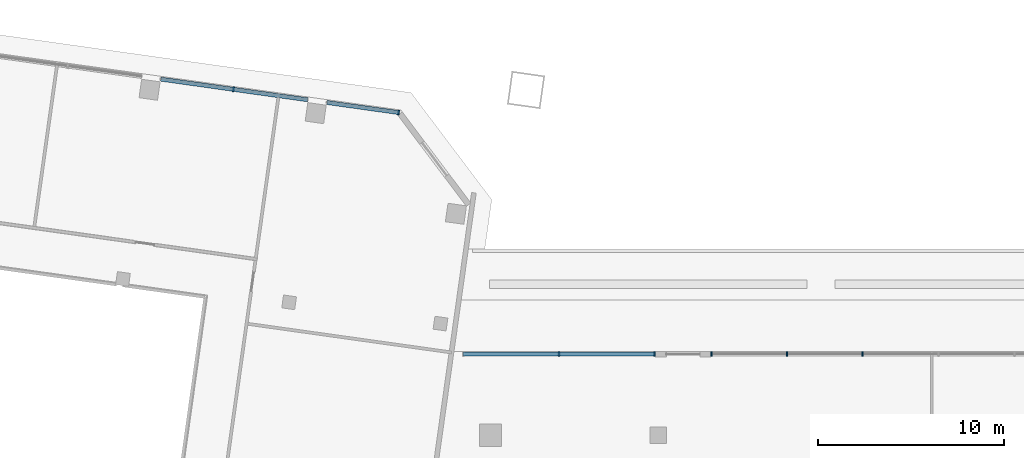
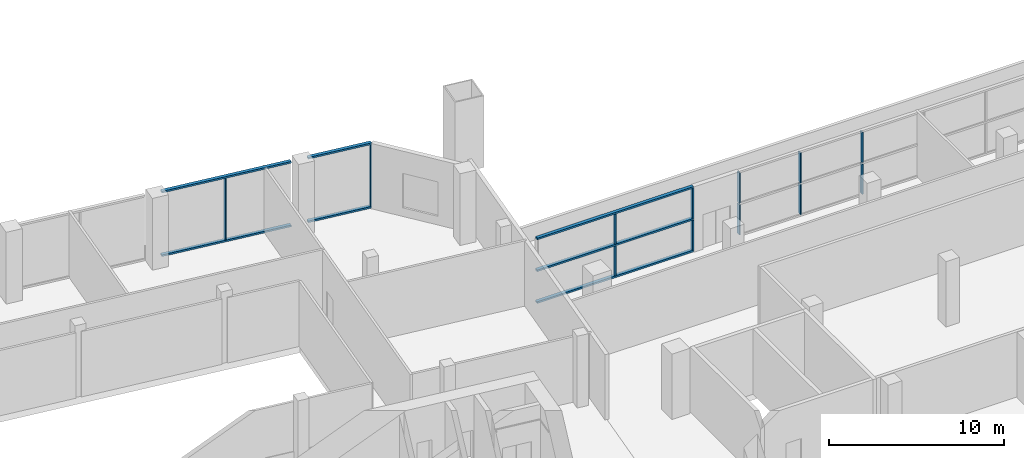
# One storey, part 4 of 21: 19 members, 3 elements without a shape of their own.
"""IFC4 building model written with IfcOpenShell, lengths in metres."""

from ifc_helpers import new_model, si_unit, direction, frame, origin, origin_2d, place, context, subcontext, project, spatial, rectangle, extrude, material, material_profile, profile_set, type_object, element, aggregate, save


model = new_model("IFC4")

# Units and contexts
model_context = context("Model", 3, precision=1e-05, world=origin(), true_north=direction((0.0, 1.0)))
body_context = subcontext(model_context, "Body", "Model", "MODEL_VIEW")
ifc_project = project(units=[si_unit("LENGTHUNIT", "METRE"), si_unit("AREAUNIT", "SQUARE_METRE"), si_unit("VOLUMEUNIT", "CUBIC_METRE"), si_unit("PLANEANGLEUNIT", "RADIAN"), si_unit("MASSUNIT", "GRAM", prefix="KILO")], contexts=[model_context])

# Site, building, storey
site_placement = place(None, origin())
site = spatial("IfcSite", under=ifc_project, at=site_placement, CompositionType="ELEMENT")
building_placement = place(site_placement, origin())
building = spatial("IfcBuilding", under=site, at=building_placement, Name="Mirante Cascada Hotel Towers", CompositionType="ELEMENT")
storey_placement = place(building_placement, frame((0.0, 0.0, 34.5)))
storey = spatial("IfcBuildingStorey", under=building, at=storey_placement, Name="L05", CompositionType="ELEMENT", Elevation=34.5)

# Curtain wall, members
ifc_material_1 = material(Name="Aluminium mullion and transom frame with clear laminated glass", Category="aluminium")
curtain_wall_type = type_object("IfcCurtainWallType", Name="Podium curtain wall ECW3", PredefinedType="NOTDEFINED", material=ifc_material_1)
curtain_wall_1_placement = place(storey_placement, origin())
curtain_wall_1 = element("IfcCurtainWall", 1, at=curtain_wall_1_placement, inside=storey, type_object=curtain_wall_type, Name="Front podium glazing T1 L05", PredefinedType="NOTDEFINED")
ifc_material_2 = material(Name="Anodised aluminium extrusion", Category="aluminium")
ifc_material_profile_1 = material_profile(ifc_material_2, rectangle(XDim=0.26, YDim=0.08, at=origin_2d()), Name="ECW3 MULLION 80x260")
ifc_profile_set_1 = profile_set([ifc_material_profile_1], Name="Anodised aluminium extrusion")
member_type_1 = type_object("IfcMemberType", Name="ECW3 mullion 80x260", PredefinedType="MULLION", material=ifc_profile_set_1)
member_1_placement = place(storey_placement, frame((-40.7892, 18.5516, 0.12), z_axis=(0.0, 0.0, 1.0), x_axis=(0.1391731, 0.9902681, 0.0)))
member_1 = element("IfcMember", 2, at=member_1_placement, type_object=member_type_1, Name="ECW3 mullion 13", PredefinedType="MULLION", context=body_context, shape_type="SweptSolid", body=[
    extrude(rectangle(XDim=0.26, YDim=0.08, at=origin_2d()), origin(), (0.0, 0.0, 1.0), 4.31),
])
member_2_placement = place(storey_placement, frame((-31.9339, 17.307, 0.12), z_axis=(0.0, 0.0, 1.0), x_axis=(0.1391731, 0.9902681, 0.0)))
member_2 = element("IfcMember", 3, at=member_2_placement, type_object=member_type_1, Name="ECW3 mullion 15", PredefinedType="MULLION", context=body_context, shape_type="SweptSolid", body=[
    extrude(rectangle(XDim=0.26, YDim=0.08, at=origin_2d()), origin(), (0.0, 0.0, 1.0), 4.31),
])

curtain_wall_2_placement = place(storey_placement, origin())
curtain_wall_2 = element("IfcCurtainWall", 4, at=curtain_wall_2_placement, inside=storey, type_object=curtain_wall_type, Name="Podium curtain wall L05 run 3.3", PredefinedType="NOTDEFINED")
member_3_placement = place(storey_placement, frame((-7.0364, 4.35, 0.12), z_axis=(0.0, 0.0, 1.0), x_axis=(0.0, -1.0, 0.0)))
member_3 = element("IfcMember", 5, at=member_3_placement, type_object=member_type_1, Name="ECW3 mullion 4", PredefinedType="MULLION", context=body_context, shape_type="SweptSolid", body=[
    extrude(rectangle(XDim=0.26, YDim=0.08, at=origin_2d()), origin(), (0.0, 0.0, 1.0), 2.095),
])
member_4_placement = place(storey_placement, frame((-7.0364, 4.35, 2.335), z_axis=(0.0, 0.0, 1.0), x_axis=(0.0, -1.0, 0.0)))
member_4 = element("IfcMember", 6, at=member_4_placement, type_object=member_type_1, Name="ECW3 mullion 4", PredefinedType="MULLION", context=body_context, shape_type="SweptSolid", body=[
    extrude(rectangle(XDim=0.26, YDim=0.08, at=origin_2d()), origin(), (0.0, 0.0, 1.0), 2.095),
])
member_5_placement = place(storey_placement, frame((-11.1052, 4.35, 0.12), z_axis=(0.0, 0.0, 1.0), x_axis=(0.0, -1.0, 0.0)))
member_5 = element("IfcMember", 7, at=member_5_placement, type_object=member_type_1, Name="ECW3 mullion 5", PredefinedType="MULLION", context=body_context, shape_type="SweptSolid", body=[
    extrude(rectangle(XDim=0.26, YDim=0.08, at=origin_2d()), origin(), (0.0, 0.0, 1.0), 2.095),
])
member_6_placement = place(storey_placement, frame((-11.1052, 4.35, 2.335), z_axis=(0.0, 0.0, 1.0), x_axis=(0.0, -1.0, 0.0)))
member_6 = element("IfcMember", 8, at=member_6_placement, type_object=member_type_1, Name="ECW3 mullion 5", PredefinedType="MULLION", context=body_context, shape_type="SweptSolid", body=[
    extrude(rectangle(XDim=0.26, YDim=0.08, at=origin_2d()), origin(), (0.0, 0.0, 1.0), 2.095),
])
member_7_placement = place(storey_placement, frame((-15.134, 4.35, 0.12), z_axis=(0.0, 0.0, 1.0), x_axis=(0.0, -1.0, 0.0)))
member_7 = element("IfcMember", 9, at=member_7_placement, type_object=member_type_1, Name="ECW3 mullion 6", PredefinedType="MULLION", context=body_context, shape_type="SweptSolid", body=[
    extrude(rectangle(XDim=0.26, YDim=0.08, at=origin_2d()), origin(), (0.0, 0.0, 1.0), 2.095),
])
member_8_placement = place(storey_placement, frame((-15.134, 4.35, 2.335), z_axis=(0.0, 0.0, 1.0), x_axis=(0.0, -1.0, 0.0)))
member_8 = element("IfcMember", 10, at=member_8_placement, type_object=member_type_1, Name="ECW3 mullion 6", PredefinedType="MULLION", context=body_context, shape_type="SweptSolid", body=[
    extrude(rectangle(XDim=0.26, YDim=0.08, at=origin_2d()), origin(), (0.0, 0.0, 1.0), 2.095),
])
aggregate(curtain_wall_2, [member_3, member_4, member_5, member_6, member_7, member_8])

curtain_wall_3_placement = place(storey_placement, origin())
curtain_wall_3 = element("IfcCurtainWall", 11, at=curtain_wall_3_placement, inside=storey, type_object=curtain_wall_type, Name="Podium curtain wall L05 run 3.5", PredefinedType="NOTDEFINED")
member_9_placement = place(storey_placement, frame((-18.214, 4.35, 0.12), z_axis=(0.0, 0.0, 1.0), x_axis=(0.0, -1.0, 0.0)))
member_9 = element("IfcMember", 12, at=member_9_placement, type_object=member_type_1, Name="ECW3 mullion 1", PredefinedType="MULLION", context=body_context, shape_type="SweptSolid", body=[
    extrude(rectangle(XDim=0.26, YDim=0.08, at=origin_2d()), origin(), (0.0, 0.0, 1.0), 2.095),
])
member_10_placement = place(storey_placement, frame((-18.214, 4.35, 2.335), z_axis=(0.0, 0.0, 1.0), x_axis=(0.0, -1.0, 0.0)))
member_10 = element("IfcMember", 13, at=member_10_placement, type_object=member_type_1, Name="ECW3 mullion 1", PredefinedType="MULLION", context=body_context, shape_type="SweptSolid", body=[
    extrude(rectangle(XDim=0.26, YDim=0.08, at=origin_2d()), origin(), (0.0, 0.0, 1.0), 2.095),
])
member_11_placement = place(storey_placement, frame((-23.3273, 4.35, 0.12), z_axis=(0.0, 0.0, 1.0), x_axis=(0.0, -1.0, 0.0)))
member_11 = element("IfcMember", 14, at=member_11_placement, type_object=member_type_1, Name="ECW3 mullion 2", PredefinedType="MULLION", context=body_context, shape_type="SweptSolid", body=[
    extrude(rectangle(XDim=0.26, YDim=0.08, at=origin_2d()), origin(), (0.0, 0.0, 1.0), 2.095),
])
member_12_placement = place(storey_placement, frame((-23.3273, 4.35, 2.335), z_axis=(0.0, 0.0, 1.0), x_axis=(0.0, -1.0, 0.0)))
member_12 = element("IfcMember", 15, at=member_12_placement, type_object=member_type_1, Name="ECW3 mullion 2", PredefinedType="MULLION", context=body_context, shape_type="SweptSolid", body=[
    extrude(rectangle(XDim=0.26, YDim=0.08, at=origin_2d()), origin(), (0.0, 0.0, 1.0), 2.095),
])

# Member
ifc_material_3 = material(Name="Anodised aluminium extrusion", Category="aluminium")
ifc_material_profile_2 = material_profile(ifc_material_3, rectangle(XDim=0.22, YDim=0.12, at=origin_2d()), Name="ECW3 TRANSOM 120x220")
ifc_profile_set_2 = profile_set([ifc_material_profile_2], Name="Anodised aluminium extrusion")
member_type_2 = type_object("IfcMemberType", Name="ECW3 transom 120x220", PredefinedType="USERDEFINED", material=ifc_profile_set_2)
member_13_placement = place(storey_placement, frame((-44.6865, 19.0993, 0.06), z_axis=(0.9902685, -0.1391698, 0.0), x_axis=(0.1391698, 0.9902685, 0.0)))
member_13 = element("IfcMember", 16, at=member_13_placement, type_object=member_type_2, Name="ECW3 sill transom", ObjectType="TRANSOM", PredefinedType="USERDEFINED", context=body_context, shape_type="SweptSolid", body=[
    extrude(rectangle(XDim=0.22, YDim=0.12, at=origin_2d()), origin(), (0.0, 0.0, 1.0), 7.9601),
])

member_14_placement = place(storey_placement, frame((-35.7741, 17.8467, 0.06), z_axis=(0.9902705, -0.1391555, 0.0), x_axis=(0.1391555, 0.9902705, 0.0)))
member_14 = element("IfcMember", 17, at=member_14_placement, type_object=member_type_2, Name="ECW3 sill transom", ObjectType="TRANSOM", PredefinedType="USERDEFINED", context=body_context, shape_type="SweptSolid", body=[
    extrude(rectangle(XDim=0.22, YDim=0.12, at=origin_2d()), origin(), (0.0, 0.0, 1.0), 3.9179),
])

member_15_placement = place(storey_placement, frame((-44.6865, 19.0993, 4.49), z_axis=(0.9902685, -0.1391698, 0.0), x_axis=(0.1391698, 0.9902685, 0.0)))
member_15 = element("IfcMember", 18, at=member_15_placement, type_object=member_type_2, Name="ECW3 head transom", ObjectType="TRANSOM", PredefinedType="USERDEFINED", context=body_context, shape_type="SweptSolid", body=[
    extrude(rectangle(XDim=0.22, YDim=0.12, at=origin_2d()), origin(), (0.0, 0.0, 1.0), 7.9601),
])

member_16_placement = place(storey_placement, frame((-35.7741, 17.8467, 4.49), z_axis=(0.9902705, -0.1391555, 0.0), x_axis=(0.1391555, 0.9902705, 0.0)))
member_16 = element("IfcMember", 19, at=member_16_placement, type_object=member_type_2, Name="ECW3 head transom", ObjectType="TRANSOM", PredefinedType="USERDEFINED", context=body_context, shape_type="SweptSolid", body=[
    extrude(rectangle(XDim=0.22, YDim=0.12, at=origin_2d()), origin(), (0.0, 0.0, 1.0), 3.9179),
])

aggregate(curtain_wall_1, [member_13, member_14, member_15, member_16, member_1, member_2])

member_17_placement = place(storey_placement, frame((-18.174, 4.35, 0.06), z_axis=(-1.0, 0.0, 0.0), x_axis=(0.0, -1.0, 0.0)))
member_17 = element("IfcMember", 20, at=member_17_placement, type_object=member_type_2, Name="ECW3 sill transom", ObjectType="TRANSOM", PredefinedType="USERDEFINED", context=body_context, shape_type="SweptSolid", body=[
    extrude(rectangle(XDim=0.22, YDim=0.12, at=origin_2d()), origin(), (0.0, 0.0, 1.0), 10.3066),
])

member_18_placement = place(storey_placement, frame((-18.174, 4.35, 2.275), z_axis=(-1.0, 0.0, 0.0), x_axis=(0.0, -1.0, 0.0)))
member_18 = element("IfcMember", 21, at=member_18_placement, type_object=member_type_2, Name="ECW3 intermediate transom", ObjectType="TRANSOM", PredefinedType="USERDEFINED", context=body_context, shape_type="SweptSolid", body=[
    extrude(rectangle(XDim=0.22, YDim=0.12, at=origin_2d()), origin(), (0.0, 0.0, 1.0), 10.3066),
])

member_19_placement = place(storey_placement, frame((-18.174, 4.35, 4.49), z_axis=(-1.0, 0.0, 0.0), x_axis=(0.0, -1.0, 0.0)))
member_19 = element("IfcMember", 22, at=member_19_placement, type_object=member_type_2, Name="ECW3 head transom", ObjectType="TRANSOM", PredefinedType="USERDEFINED", context=body_context, shape_type="SweptSolid", body=[
    extrude(rectangle(XDim=0.22, YDim=0.12, at=origin_2d()), origin(), (0.0, 0.0, 1.0), 10.3066),
])

aggregate(curtain_wall_3, [member_17, member_18, member_19, member_9, member_10, member_11, member_12])

save(model, "model.ifc")
